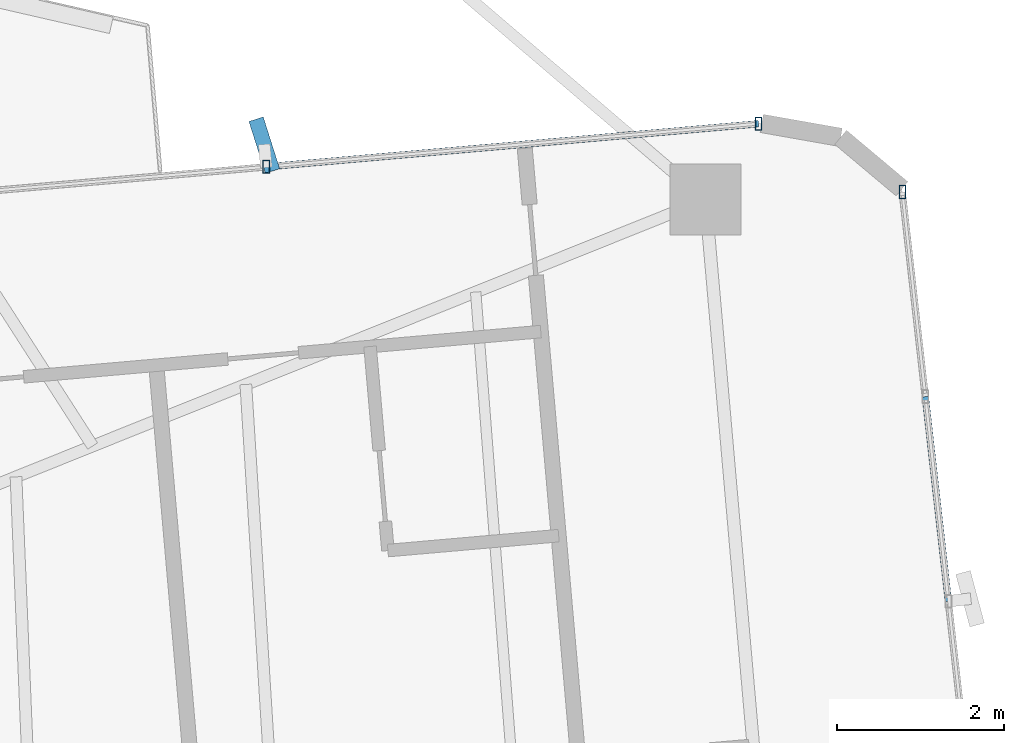
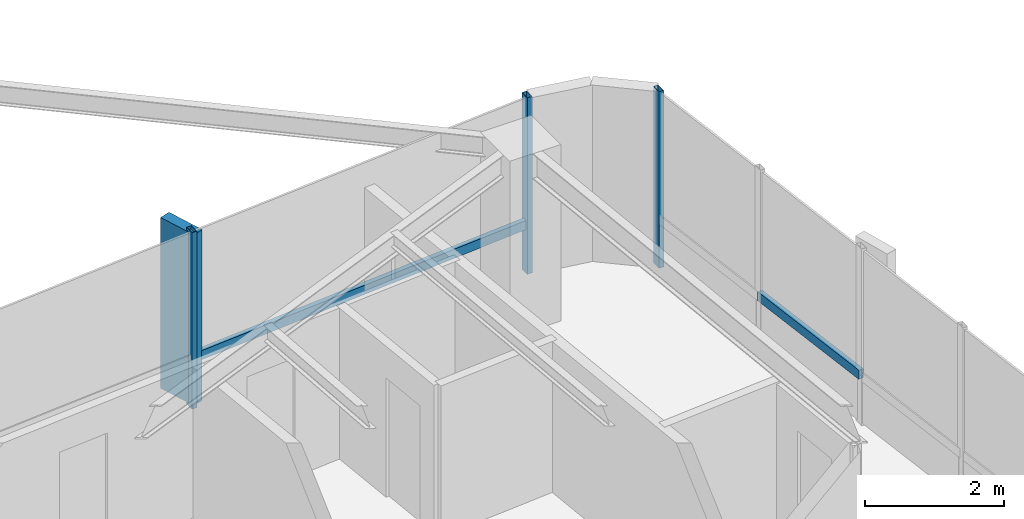
# One storey, part 15 of 24: 6 members, 2 elements without a shape of their own.
"""IFC4 building model written with IfcOpenShell, lengths in metres."""

from ifc_helpers import new_model, si_unit, direction, frame, origin, origin_2d, place, context, subcontext, project, spatial, rectangle, hollow_rectangle, extrude, source, transform, mapped, material, material_profile, profile_set, type_object, element, aggregate, save


model = new_model("IFC4")

# Units and contexts
model_context = context("Model", 3, precision=1e-05, world=origin(), true_north=direction((0.0, 1.0)))
body_context = subcontext(model_context, "Body", "Model", "MODEL_VIEW")
ifc_project = project(units=[si_unit("LENGTHUNIT", "METRE"), si_unit("AREAUNIT", "SQUARE_METRE"), si_unit("VOLUMEUNIT", "CUBIC_METRE"), si_unit("PLANEANGLEUNIT", "RADIAN"), si_unit("MASSUNIT", "GRAM", prefix="KILO")], contexts=[model_context])

# Site, building, storey
site_placement = place(None, origin())
site = spatial("IfcSite", under=ifc_project, at=site_placement, CompositionType="ELEMENT")
building_placement = place(site_placement, origin())
building = spatial("IfcBuilding", under=site, at=building_placement, Name="Sahyath Konkavel Grand Hotel", CompositionType="ELEMENT")
storey_placement = place(building_placement, frame((0.0, 0.0, 153.949951171875)))
storey = spatial("IfcBuildingStorey", under=building, at=storey_placement, Name="L42", CompositionType="ELEMENT", Elevation=153.949951171875)

# Curtain wall, member
ifc_material_1 = material(Name="Anodised Bronze Aluminium & Low-E Glazing", Category="aluminium")
curtain_wall_type = type_object("IfcCurtainWallType", Name="CW-ZONE3", PredefinedType="NOTDEFINED", material=ifc_material_1)
curtain_wall_1_placement = place(storey_placement, origin())
curtain_wall_1 = element("IfcCurtainWall", 1, at=curtain_wall_1_placement, inside=storey, type_object=curtain_wall_type, Name="L42 Unitised Curtain Wall F7", PredefinedType="NOTDEFINED")
ifc_material_2 = material(Name="Warm Buff Sandstone Cladding on Concrete C50/60", Category="masonry")
ifc_material_profile_1 = material_profile(ifc_material_2, rectangle(XDim=0.179931640625, YDim=0.64990234375, at=origin_2d()), Name="FIN 180x650")
ifc_profile_set_1 = profile_set([ifc_material_profile_1], Name="Warm Buff Sandstone Cladding on Concrete C50/60")
member_type_1 = type_object("IfcMemberType", Name="FIN-SANDSTONE-650", PredefinedType="MULLION", material=ifc_profile_set_1)
shared_shape_1 = source(origin(), body_context, "Body", "SweptSolid", [
    extrude(rectangle(XDim=0.179931640625, YDim=0.64990234375, at=origin_2d()), origin(), (0.0, 0.0, 1.0), 3.010009765625),
])
member_1_placement = place(storey_placement, frame((11.677001953125, 7.656982421875, 0.050048828125), z_axis=(0.0, 0.0, 1.0), x_axis=(0.953032216634, 0.302868938746, 0.0)))
member_1 = element("IfcMember", 2, at=member_1_placement, type_object=member_type_1, Name="L42 Sandstone Vertical Solar Fin FIN F7-1", PredefinedType="MULLION", context=body_context, shape_type="MappedRepresentation", body=[
    mapped(shared_shape_1, transform((0.0, 0.0, 0.0), scale=1.0)),
])

curtain_wall_2_placement = place(storey_placement, origin())
curtain_wall_2 = element("IfcCurtainWall", 3, at=curtain_wall_2_placement, inside=storey, type_object=curtain_wall_type, Name="L42 Unitised Curtain Wall F4", PredefinedType="NOTDEFINED")
ifc_material_3 = material(Name="Anodised Bronze Aluminium", Category="aluminium")
ifc_material_profile_2 = material_profile(ifc_material_3, hollow_rectangle(XDim=0.080078125, YDim=0.159912109375, WallThickness=0.006103515625, at=origin_2d()), Name="RHS 160x80x6")
ifc_profile_set_2 = profile_set([ifc_material_profile_2], Name="Anodised Bronze Aluminium")
member_type_2 = type_object("IfcMemberType", Name="CW-MUL-160", PredefinedType="MULLION", material=ifc_profile_set_2)
shared_shape_2 = source(origin(), body_context, "Body", "SweptSolid", [
    extrude(hollow_rectangle(XDim=0.080078125, YDim=0.159912109375, WallThickness=0.006103515625, at=origin_2d()), origin(), (0.0, 0.0, 1.0), 3.110107421875),
])
member_2_placement = place(storey_placement, frame((19.308349609375, 7.094970703125, 0.0), z_axis=(0.0, 0.0, 1.0), x_axis=(1.0, 0.0, 0.0)))
member_2 = element("IfcMember", 4, at=member_2_placement, type_object=member_type_2, Name="L42 Curtain Wall Mullion F4-4", PredefinedType="MULLION", context=body_context, shape_type="MappedRepresentation", body=[
    mapped(shared_shape_2, transform((0.0, 0.0, 0.0), scale=1.0)),
])

# Member
member_3_placement = place(storey_placement, frame((17.58740234375, 7.912841796875, 0.0), z_axis=(0.0, 0.0, 1.0), x_axis=(1.0, 0.0, 0.0)))
member_3 = element("IfcMember", 5, at=member_3_placement, type_object=member_type_2, Name="L42 Curtain Wall Mullion F7-0", PredefinedType="MULLION", context=body_context, shape_type="MappedRepresentation", body=[
    mapped(shared_shape_2, transform((0.0, 0.0, 0.0), scale=1.0)),
])

member_4_placement = place(storey_placement, frame((11.69970703125, 7.39794921875, 0.0), z_axis=(0.0, 0.0, 1.0), x_axis=(1.0, 0.0, 0.0)))
member_4 = element("IfcMember", 6, at=member_4_placement, type_object=member_type_2, Name="L42 Curtain Wall Mullion F7-1", PredefinedType="MULLION", context=body_context, shape_type="MappedRepresentation", body=[
    mapped(shared_shape_2, transform((0.0, 0.0, 0.0), scale=1.0)),
])

ifc_material_profile_3 = material_profile(ifc_material_3, hollow_rectangle(XDim=0.080078125, YDim=0.159912109375, WallThickness=0.006103515625, at=origin_2d()), Name="RHS 160x80x6")
ifc_profile_set_3 = profile_set([ifc_material_profile_3], Name="Anodised Bronze Aluminium")
member_type_3 = type_object("IfcMemberType", Name="CW-TRN-160", PredefinedType="USERDEFINED", material=ifc_profile_set_3)
shared_shape_3 = source(origin(), body_context, "Body", "SweptSolid", [
    extrude(hollow_rectangle(XDim=0.080078125, YDim=0.159912109375, WallThickness=0.006103515625, at=origin_2d()), origin(), (0.0, 0.0, 1.0), 2.461669921875),
])
member_5_placement = place(storey_placement, frame((19.859619140625, 2.201904296875, 0.85009765625), z_axis=(-0.111966154832, 0.993712020744, 0.0), x_axis=(-0.993712020744, -0.111966154832, 0.0)))
member_5 = element("IfcMember", 7, at=member_5_placement, type_object=member_type_3, Name="L42 Curtain Wall Transom F4-2-spandrel", ObjectType="TRANSOM", PredefinedType="USERDEFINED", context=body_context, shape_type="MappedRepresentation", body=[
    mapped(shared_shape_3, transform((0.0, 0.0, 0.0), scale=1.0)),
])

aggregate(curtain_wall_2, [member_2, member_5])

shared_shape_4 = source(origin(), body_context, "Body", "SweptSolid", [
    extrude(hollow_rectangle(XDim=0.080078125, YDim=0.159912109375, WallThickness=0.006103515625, at=origin_2d()), origin(), (0.0, 0.0, 1.0), 5.91015625),
])
member_6_placement = place(storey_placement, frame((17.58740234375, 7.912841796875, 0.85009765625), z_axis=(-0.996197841474, -0.087119806256, 0.0), x_axis=(0.087119806256, -0.996197841474, 0.0)))
member_6 = element("IfcMember", 8, at=member_6_placement, type_object=member_type_3, Name="L42 Curtain Wall Transom F7-0-spandrel", ObjectType="TRANSOM", PredefinedType="USERDEFINED", context=body_context, shape_type="MappedRepresentation", body=[
    mapped(shared_shape_4, transform((0.0, 0.0, 0.0), scale=1.0)),
])

aggregate(curtain_wall_1, [member_3, member_4, member_1, member_6])

save(model, "model.ifc")
